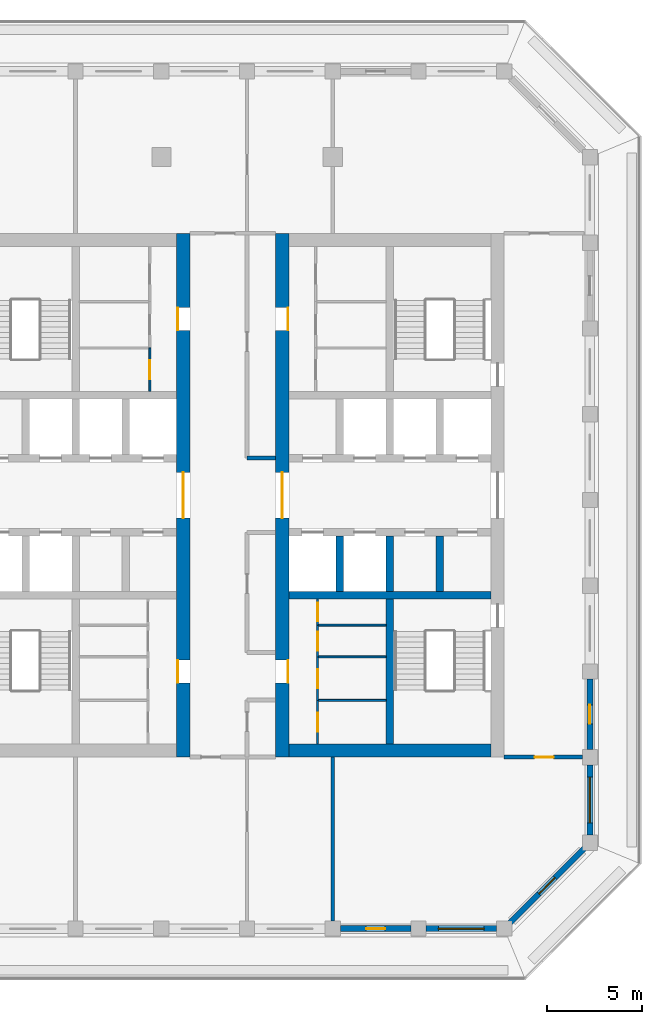
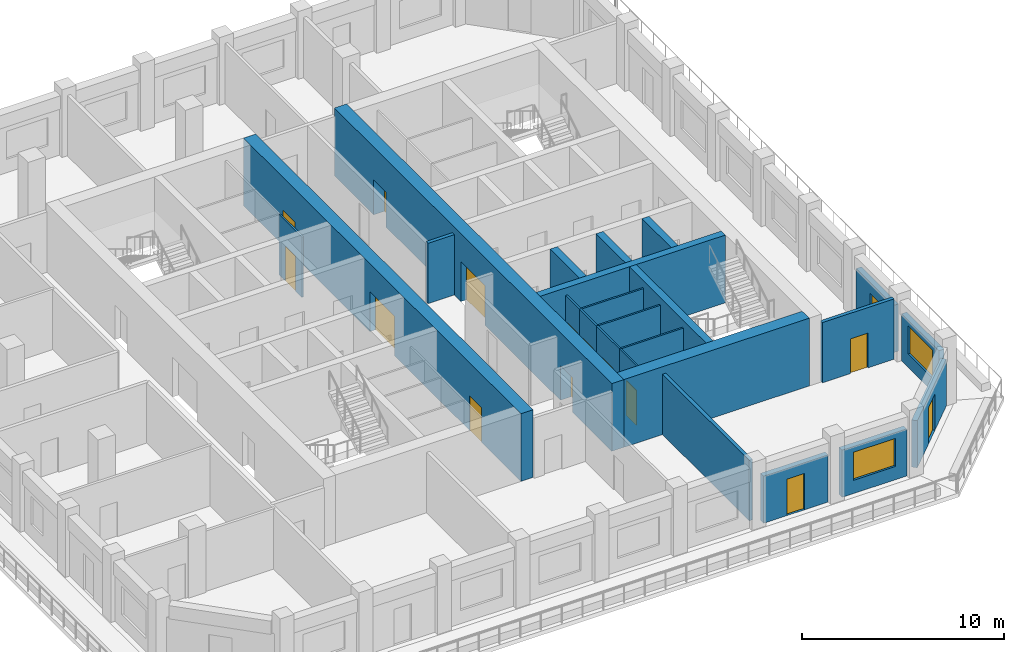
# One storey, part 4 of 14: 24 walls, 15 doors, 2 windows, 17 openings.
"""IFC4 building model written with IfcOpenShell, lengths in metres."""

from ifc_helpers import new_model, si_unit, direction, frame, frame_2d, origin, place, context, subcontext, project, spatial, rectangle, extrude, material, layer, layer_set, type_object, element, fill, save


model = new_model("IFC4")

# Units and contexts
model_context = context("Model", 3, precision=1e-05, world=origin(), true_north=direction((0.0, 1.0)))
body_context = subcontext(model_context, "Body", "Model", "MODEL_VIEW")
ifc_project = project(units=[si_unit("LENGTHUNIT", "METRE"), si_unit("AREAUNIT", "SQUARE_METRE"), si_unit("VOLUMEUNIT", "CUBIC_METRE"), si_unit("PLANEANGLEUNIT", "RADIAN"), si_unit("MASSUNIT", "GRAM", prefix="KILO")], contexts=[model_context])

# Site, building, storey
site_placement = place(None, origin())
site = spatial("IfcSite", under=ifc_project, at=site_placement, CompositionType="ELEMENT")
building_placement = place(site_placement, origin())
building = spatial("IfcBuilding", under=site, at=building_placement, Name="Corbel Stack Research Tower", CompositionType="ELEMENT")
storey_placement = place(building_placement, frame((0.0, 0.0, 286.800048828125)))
storey = spatial("IfcBuildingStorey", under=building, at=storey_placement, Name="L65", CompositionType="ELEMENT", Elevation=286.800048828125)

# Walls
ifc_material_1 = material(Name="Concrete C60/75", Category="concrete")
ifc_layer_1 = layer(ifc_material_1, 0.39990234375)
ifc_layer_set_1 = layer_set([ifc_layer_1], Name="Concrete C60/75")
wall_type_1 = type_object("IfcWallType", Name="CW-400-60", PredefinedType="SHEAR", material=ifc_layer_set_1)
wall_1_placement = place(storey_placement, frame((6.699951171875, -0.5, 0.0), z_axis=(0.0, 0.0, 1.0), x_axis=(1.0, 0.0, 0.0)))
element("IfcWall", 1, at=wall_1_placement, inside=storey, type_object=wall_type_1, Name="East core wall, south row back L65", PredefinedType="SHEAR", context=body_context, shape_type="SweptSolid", body=[
    extrude(rectangle(XDim=10.60009765625, YDim=0.39990234375, at=frame_2d((5.300048828125, 0.0))), origin(), (0.0, 0.0, 1.0), 4.099853515625),
])
for number, where, z_axis, x_axis, name in (
    (2, (9.375, -0.300048828125, 0.0), (0.0, 0.0, 1.0), (0.0, 1.0, 0.0), "East core wall, south shaft 1 L65"),
    (3, (12.0, -0.300048828125, 0.0), (0.0, 0.0, 1.0), (0.0, 1.0, 0.0), "East core wall, south shaft 2 L65"),
    (4, (14.625, -0.300048828125, 0.0), (0.0, 0.0, 1.0), (0.0, 1.0, 0.0), "East core wall, south shaft 3 L65"),
):
    element("IfcWall", number, at=place(storey_placement, frame(where, z_axis=z_axis, x_axis=x_axis)), inside=storey, type_object=wall_type_1, Name=name, PredefinedType="SHEAR", context=body_context, shape_type="SweptSolid", body=[
        extrude(rectangle(XDim=2.900146484375, YDim=0.39990234375, at=frame_2d((1.4501953125, 0.0))), origin(), (0.0, 0.0, 1.0), 4.099853515625),
    ])
wall_2_placement = place(storey_placement, frame((12.0, -8.300048828125, 0.0), z_axis=(0.0, 0.0, 1.0), x_axis=(0.0, 1.0, 0.0)))
element("IfcWall", 5, at=wall_2_placement, inside=storey, type_object=wall_type_1, Name="East core wall, south stair and WC L65", PredefinedType="SHEAR", context=body_context, shape_type="SweptSolid", body=[
    extrude(rectangle(XDim=7.60009765625, YDim=0.39990234375, at=frame_2d((3.800048828125, 0.0))), origin(), (0.0, 0.0, 1.0), 4.099853515625),
])

# Wall, openings, doors
ifc_material_2 = material(Name="Concrete C60/75", Category="concrete")
ifc_layer_2 = layer(ifc_material_2, 0.699951171875)
ifc_layer_set_2 = layer_set([ifc_layer_2], Name="Concrete C60/75")
wall_type_2 = type_object("IfcWallType", Name="CW-700-60", PredefinedType="SHEAR", material=ifc_layer_set_2)
wall_3_placement = place(storey_placement, frame((1.14990234375, -9.0, 0.0), z_axis=(0.0, 0.0, 1.0), x_axis=(0.0, 1.0, 0.0)))
wall_3 = element("IfcWall", 6, at=wall_3_placement, inside=storey, type_object=wall_type_2, Name="West core wall, east face L65", PredefinedType="SHEAR", context=body_context, shape_type="SweptSolid", body=[
    extrude(rectangle(XDim=27.5, YDim=0.699951171875, at=frame_2d((13.75, 0.0))), origin(), (0.0, 0.0, 1.0), 4.099853515625),
])
opening_1_placement = place(wall_3_placement, frame((12.550048828125, 0.0, 0.0)))
opening_1 = element("IfcOpeningElement", 7, at=opening_1_placement, cuts=wall_3, Name="Opening CD-W-E", PredefinedType="OPENING", context=body_context, shape_type="SweptSolid", body=[
    extrude(rectangle(XDim=2.39990234375, YDim=2.39990234375, at=frame_2d((1.199951171875, 1.199951171875))), frame((0.0, 0.35986328125, 0.0), z_axis=(0.0, -1.0, 0.0), x_axis=(1.0, 0.0, 0.0)), (0.0, 0.0, 1.0), 0.719970703125),
])
opening_2_placement = place(wall_3_placement, frame((3.89990234375, 0.0, 0.0)))
opening_2 = element("IfcOpeningElement", 8, at=opening_2_placement, cuts=wall_3, Name="Opening CR-W42-W1-1200", PredefinedType="OPENING", context=body_context, shape_type="SweptSolid", body=[
    extrude(rectangle(XDim=1.199951171875, YDim=2.10009765625, at=frame_2d((0.60009765625, 1.050048828125))), frame((0.0, 0.35986328125, 0.0), z_axis=(0.0, -1.0, 0.0), x_axis=(1.0, 0.0, 0.0)), (0.0, 0.0, 1.0), 0.719970703125),
])
opening_3_placement = place(wall_3_placement, frame((22.39990234375, 0.0, 0.0)))
opening_3 = element("IfcOpeningElement", 9, at=opening_3_placement, cuts=wall_3, Name="Opening CR-W42-R1-1200", PredefinedType="OPENING", context=body_context, shape_type="SweptSolid", body=[
    extrude(rectangle(XDim=1.199951171875, YDim=2.10009765625, at=frame_2d((0.60009765625, 1.050048828125))), frame((0.0, 0.35986328125, 0.0), z_axis=(0.0, -1.0, 0.0), x_axis=(1.0, 0.0, 0.0)), (0.0, 0.0, 1.0), 0.719970703125),
])
ifc_material_3 = material(Name="Painted steel fire door", Category="steel")
door_type_1 = type_object("IfcDoorType", Name="Lobby door pair 2400 x 2400 FD30S", OperationType="DOUBLE_DOOR_DOUBLE_SWING", PredefinedType="DOOR", material=ifc_material_3)
door_1_placement = place(opening_1_placement, origin())
door_1 = element("IfcDoor", 10, at=door_1_placement, inside=storey, type_object=door_type_1, Name="Lift lobby door W core E", OperationType="DOUBLE_DOOR_DOUBLE_SWING", OverallHeight=2.39990234375, OverallWidth=2.39990234375, PredefinedType="DOOR", context=body_context, shape_type="SweptSolid", body=[
    extrude(rectangle(XDim=2.39990234375, YDim=2.39990234375, at=frame_2d((1.199951171875, 1.199951171875))), frame((0.0, 0.02490234375, 0.0), z_axis=(0.0, -1.0, 0.0), x_axis=(1.0, 0.0, 0.0)), (0.0, 0.0, 1.0), 0.050048828125),
])
fill(opening_1, door_1)
ifc_material_4 = material(Name="Painted steel door", Category="steel")
door_type_2 = type_object("IfcDoorType", Name="Service door 1200 x 2100 FD30 left hand", OperationType="SINGLE_SWING_LEFT", PredefinedType="DOOR", material=ifc_material_4)
door_2_placement = place(opening_3_placement, origin())
door_2 = element("IfcDoor", 11, at=door_2_placement, inside=storey, type_object=door_type_2, Name="Service passage door W core", OperationType="SINGLE_SWING_LEFT", OverallHeight=2.10009765625, OverallWidth=1.199951171875, PredefinedType="DOOR", context=body_context, shape_type="SweptSolid", body=[
    extrude(rectangle(XDim=1.199951171875, YDim=2.10009765625, at=frame_2d((0.60009765625, 1.050048828125))), frame((0.0, 0.3251953125, 0.0), z_axis=(0.0, -1.0, 0.0), x_axis=(1.0, 0.0, 0.0)), (0.0, 0.0, 1.0), 0.050048828125),
])
fill(opening_3, door_2)
ifc_material_5 = material(Name="Painted timber door", Category="wood")
door_type_3 = type_object("IfcDoorType", Name="WC door 1200 x 2100 left hand", OperationType="SINGLE_SWING_LEFT", PredefinedType="DOOR", material=ifc_material_5)
door_3_placement = place(opening_2_placement, origin())
door_3 = element("IfcDoor", 12, at=door_3_placement, inside=storey, type_object=door_type_3, Name="WC lobby door W core", OperationType="SINGLE_SWING_LEFT", OverallHeight=2.10009765625, OverallWidth=1.199951171875, PredefinedType="DOOR", context=body_context, shape_type="SweptSolid", body=[
    extrude(rectangle(XDim=1.199951171875, YDim=2.10009765625, at=frame_2d((0.60009765625, 1.050048828125))), frame((0.0, 0.3251953125, 0.0), z_axis=(0.0, -1.0, 0.0), x_axis=(1.0, 0.0, 0.0)), (0.0, 0.0, 1.0), 0.050048828125),
])
fill(opening_2, door_3)

wall_4_placement = place(storey_placement, frame((6.35009765625, -9.0, 0.0), z_axis=(0.0, 0.0, 1.0), x_axis=(0.0, 1.0, 0.0)))
wall_4 = element("IfcWall", 13, at=wall_4_placement, inside=storey, type_object=wall_type_2, Name="East core wall, west face L65", PredefinedType="SHEAR", context=body_context, shape_type="SweptSolid", body=[
    extrude(rectangle(XDim=27.5, YDim=0.699951171875, at=frame_2d((13.75, 0.0))), origin(), (0.0, 0.0, 1.0), 4.099853515625),
])
opening_4_placement = place(wall_4_placement, frame((12.550048828125, 0.0, 0.0)))
opening_4 = element("IfcOpeningElement", 14, at=opening_4_placement, cuts=wall_4, Name="Opening CD-E-W", PredefinedType="OPENING", context=body_context, shape_type="SweptSolid", body=[
    extrude(rectangle(XDim=2.39990234375, YDim=2.39990234375, at=frame_2d((1.199951171875, 1.199951171875))), frame((0.0, 0.35986328125, 0.0), z_axis=(0.0, -1.0, 0.0), x_axis=(1.0, 0.0, 0.0)), (0.0, 0.0, 1.0), 0.719970703125),
])
opening_5_placement = place(wall_4_placement, frame((3.89990234375, 0.0, 0.0)))
opening_5 = element("IfcOpeningElement", 15, at=opening_5_placement, cuts=wall_4, Name="Opening CR-E42-W1-1200", PredefinedType="OPENING", context=body_context, shape_type="SweptSolid", body=[
    extrude(rectangle(XDim=1.199951171875, YDim=2.10009765625, at=frame_2d((0.60009765625, 1.050048828125))), frame((0.0, 0.35986328125, 0.0), z_axis=(0.0, -1.0, 0.0), x_axis=(1.0, 0.0, 0.0)), (0.0, 0.0, 1.0), 0.719970703125),
])
opening_6_placement = place(wall_4_placement, frame((22.39990234375, 0.0, 0.0)))
opening_6 = element("IfcOpeningElement", 16, at=opening_6_placement, cuts=wall_4, Name="Opening CR-E42-R1-1200", PredefinedType="OPENING", context=body_context, shape_type="SweptSolid", body=[
    extrude(rectangle(XDim=1.199951171875, YDim=2.10009765625, at=frame_2d((0.60009765625, 1.050048828125))), frame((0.0, 0.35986328125, 0.0), z_axis=(0.0, -1.0, 0.0), x_axis=(1.0, 0.0, 0.0)), (0.0, 0.0, 1.0), 0.719970703125),
])
door_4_placement = place(opening_4_placement, origin())
door_4 = element("IfcDoor", 17, at=door_4_placement, inside=storey, type_object=door_type_1, Name="Lift lobby door E core W", OperationType="DOUBLE_DOOR_DOUBLE_SWING", OverallHeight=2.39990234375, OverallWidth=2.39990234375, PredefinedType="DOOR", context=body_context, shape_type="SweptSolid", body=[
    extrude(rectangle(XDim=2.39990234375, YDim=2.39990234375, at=frame_2d((1.199951171875, 1.199951171875))), frame((0.0, 0.02490234375, 0.0), z_axis=(0.0, -1.0, 0.0), x_axis=(1.0, 0.0, 0.0)), (0.0, 0.0, 1.0), 0.050048828125),
])
fill(opening_4, door_4)
ifc_material_6 = material(Name="Painted steel door", Category="steel")
door_type_4 = type_object("IfcDoorType", Name="Service door 1200 x 2100 FD30 right hand", OperationType="SINGLE_SWING_RIGHT", PredefinedType="DOOR", material=ifc_material_6)
door_5_placement = place(opening_6_placement, origin())
door_5 = element("IfcDoor", 18, at=door_5_placement, inside=storey, type_object=door_type_4, Name="Service passage door E core", OperationType="SINGLE_SWING_RIGHT", OverallHeight=2.10009765625, OverallWidth=1.199951171875, PredefinedType="DOOR", context=body_context, shape_type="SweptSolid", body=[
    extrude(rectangle(XDim=1.199951171875, YDim=2.10009765625, at=frame_2d((0.60009765625, 1.050048828125))), frame((0.0, -0.27490234375, 0.0), z_axis=(0.0, -1.0, 0.0), x_axis=(1.0, 0.0, 0.0)), (0.0, 0.0, 1.0), 0.050048828125),
])
fill(opening_6, door_5)
ifc_material_7 = material(Name="Painted timber door", Category="wood")
door_type_5 = type_object("IfcDoorType", Name="WC door 1200 x 2100 right hand", OperationType="SINGLE_SWING_RIGHT", PredefinedType="DOOR", material=ifc_material_7)
door_6_placement = place(opening_5_placement, origin())
door_6 = element("IfcDoor", 19, at=door_6_placement, inside=storey, type_object=door_type_5, Name="WC lobby door E core", OperationType="SINGLE_SWING_RIGHT", OverallHeight=2.10009765625, OverallWidth=1.199951171875, PredefinedType="DOOR", context=body_context, shape_type="SweptSolid", body=[
    extrude(rectangle(XDim=1.199951171875, YDim=2.10009765625, at=frame_2d((0.60009765625, 1.050048828125))), frame((0.0, -0.27490234375, 0.0), z_axis=(0.0, -1.0, 0.0), x_axis=(1.0, 0.0, 0.0)), (0.0, 0.0, 1.0), 0.050048828125),
])
fill(opening_5, door_6)

# Wall
wall_5_placement = place(storey_placement, frame((6.699951171875, -8.64990234375, 0.0), z_axis=(0.0, 0.0, 1.0), x_axis=(1.0, 0.0, 0.0)))
element("IfcWall", 20, at=wall_5_placement, inside=storey, type_object=wall_type_2, Name="East core wall, south end L65", PredefinedType="SHEAR", context=body_context, shape_type="SweptSolid", body=[
    extrude(rectangle(XDim=10.60009765625, YDim=0.699951171875, at=frame_2d((5.300048828125, 0.0))), origin(), (0.0, 0.0, 1.0), 4.099853515625),
])

# Wall, opening, door
ifc_material_8 = material(Name="Gypsum board")
ifc_layer_3 = layer(ifc_material_8, 0.10009765625)
ifc_layer_set_3 = layer_set([ifc_layer_3], Name="Gypsum board")
wall_type_3 = type_object("IfcWallType", Name="Core partition 100", PredefinedType="PARTITIONING", material=ifc_layer_set_3)
wall_6_placement = place(storey_placement, frame((-0.60009765625, 10.199951171875, 0.0), z_axis=(0.0, 0.0, 1.0), x_axis=(0.0, 1.0, 0.0)))
wall_6 = element("IfcWall", 21, at=wall_6_placement, inside=storey, type_object=wall_type_3, Name="Core partition W", PredefinedType="PARTITIONING", context=body_context, shape_type="SweptSolid", body=[
    extrude(rectangle(XDim=2.280029296875, YDim=0.10009765625, at=frame_2d((1.14013671875, 0.0))), origin(), (0.0, 0.0, 1.0), 3.64990234375),
])
opening_7_placement = place(wall_6_placement, frame((0.639892578125, 0.0, 0.0)))
opening_7 = element("IfcOpeningElement", 22, at=opening_7_placement, cuts=wall_6, Name="Opening CR-W42-R2-1000", PredefinedType="OPENING", context=body_context, shape_type="SweptSolid", body=[
    extrude(rectangle(XDim=1.0, YDim=2.10009765625, at=frame_2d((0.5, 1.050048828125))), frame((0.0, 0.06005859375, 0.0), z_axis=(0.0, -1.0, 0.0), x_axis=(1.0, 0.0, 0.0)), (0.0, 0.0, 1.0), 0.1201171875),
])
ifc_material_9 = material(Name="Painted steel door", Category="steel")
door_type_6 = type_object("IfcDoorType", Name="Riser door 1000 x 2100 FD60 right hand", OperationType="SINGLE_SWING_RIGHT", PredefinedType="DOOR", material=ifc_material_9)
door_7_placement = place(opening_7_placement, origin())
door_7 = element("IfcDoor", 23, at=door_7_placement, inside=storey, type_object=door_type_6, Name="Mechanical riser door W core", OperationType="SINGLE_SWING_RIGHT", OverallHeight=2.10009765625, OverallWidth=1.0, PredefinedType="DOOR", context=body_context, shape_type="SweptSolid", body=[
    extrude(rectangle(XDim=1.0, YDim=2.10009765625, at=frame_2d((0.5, 1.050048828125))), frame((0.0, 0.02490234375, 0.0), z_axis=(0.0, -1.0, 0.0), x_axis=(1.0, 0.0, 0.0)), (0.0, 0.0, 1.0), 0.050048828125),
])
fill(opening_7, door_7)

wall_7_placement = place(storey_placement, frame((8.199951171875, -8.300048828125, 0.0), z_axis=(0.0, 0.0, 1.0), x_axis=(0.0, 1.0, 0.0)))
wall_7 = element("IfcWall", 24, at=wall_7_placement, inside=storey, type_object=wall_type_3, Name="Core partition E", PredefinedType="PARTITIONING", context=body_context, shape_type="SweptSolid", body=[
    extrude(rectangle(XDim=2.280029296875, YDim=0.10009765625, at=frame_2d((1.14013671875, 0.0))), origin(), (0.0, 0.0, 1.0), 3.64990234375),
])
opening_8_placement = place(wall_7_placement, frame((0.639892578125, 0.0, 0.0)))
opening_8 = element("IfcOpeningElement", 25, at=opening_8_placement, cuts=wall_7, Name="Opening CR-E42-W2-1000", PredefinedType="OPENING", context=body_context, shape_type="SweptSolid", body=[
    extrude(rectangle(XDim=1.0, YDim=2.10009765625, at=frame_2d((0.5, 1.050048828125))), frame((0.0, 0.06005859375, 0.0), z_axis=(0.0, -1.0, 0.0), x_axis=(1.0, 0.0, 0.0)), (0.0, 0.0, 1.0), 0.1201171875),
])
ifc_material_10 = material(Name="Painted timber door", Category="wood")
door_type_7 = type_object("IfcDoorType", Name="WC door 1000 x 2100 left hand", OperationType="SINGLE_SWING_LEFT", PredefinedType="DOOR", material=ifc_material_10)
door_8_placement = place(opening_8_placement, origin())
door_8 = element("IfcDoor", 26, at=door_8_placement, inside=storey, type_object=door_type_7, Name="Men's WC door E core", OperationType="SINGLE_SWING_LEFT", OverallHeight=2.10009765625, OverallWidth=1.0, PredefinedType="DOOR", context=body_context, shape_type="SweptSolid", body=[
    extrude(rectangle(XDim=1.0, YDim=2.10009765625, at=frame_2d((0.5, 1.050048828125))), frame((0.0, 0.02490234375, 0.0), z_axis=(0.0, -1.0, 0.0), x_axis=(1.0, 0.0, 0.0)), (0.0, 0.0, 1.0), 0.050048828125),
])
fill(opening_8, door_8)

wall_8_placement = place(storey_placement, frame((8.199951171875, -6.02001953125, 0.0), z_axis=(0.0, 0.0, 1.0), x_axis=(0.0, 1.0, 0.0)))
wall_8 = element("IfcWall", 27, at=wall_8_placement, inside=storey, type_object=wall_type_3, Name="Core partition E", PredefinedType="PARTITIONING", context=body_context, shape_type="SweptSolid", body=[
    extrude(rectangle(XDim=2.280029296875, YDim=0.10009765625, at=frame_2d((1.14013671875, 0.0))), origin(), (0.0, 0.0, 1.0), 3.64990234375),
])
opening_9_placement = place(wall_8_placement, frame((0.639892578125, 0.0, 0.0)))
opening_9 = element("IfcOpeningElement", 28, at=opening_9_placement, cuts=wall_8, Name="Opening CR-E42-W3-1000", PredefinedType="OPENING", context=body_context, shape_type="SweptSolid", body=[
    extrude(rectangle(XDim=1.0, YDim=2.10009765625, at=frame_2d((0.5, 1.050048828125))), frame((0.0, 0.06005859375, 0.0), z_axis=(0.0, -1.0, 0.0), x_axis=(1.0, 0.0, 0.0)), (0.0, 0.0, 1.0), 0.1201171875),
])
ifc_material_11 = material(Name="Painted timber door", Category="wood")
door_type_8 = type_object("IfcDoorType", Name="WC door 1000 x 2100 right hand", OperationType="SINGLE_SWING_RIGHT", PredefinedType="DOOR", material=ifc_material_11)
door_9_placement = place(opening_9_placement, origin())
door_9 = element("IfcDoor", 29, at=door_9_placement, inside=storey, type_object=door_type_8, Name="Women's WC door E core", OperationType="SINGLE_SWING_RIGHT", OverallHeight=2.10009765625, OverallWidth=1.0, PredefinedType="DOOR", context=body_context, shape_type="SweptSolid", body=[
    extrude(rectangle(XDim=1.0, YDim=2.10009765625, at=frame_2d((0.5, 1.050048828125))), frame((0.0, 0.02490234375, 0.0), z_axis=(0.0, -1.0, 0.0), x_axis=(1.0, 0.0, 0.0)), (0.0, 0.0, 1.0), 0.050048828125),
])
fill(opening_9, door_9)

wall_9_placement = place(storey_placement, frame((8.199951171875, -3.739990234375, 0.0), z_axis=(0.0, 0.0, 1.0), x_axis=(0.0, 1.0, 0.0)))
wall_9 = element("IfcWall", 30, at=wall_9_placement, inside=storey, type_object=wall_type_3, Name="Core partition E", PredefinedType="PARTITIONING", context=body_context, shape_type="SweptSolid", body=[
    extrude(rectangle(XDim=1.671875, YDim=0.10009765625, at=frame_2d((0.8359375, 0.0))), origin(), (0.0, 0.0, 1.0), 3.64990234375),
])
opening_10_placement = place(wall_9_placement, frame((0.3359375, 0.0, 0.0)))
opening_10 = element("IfcOpeningElement", 31, at=opening_10_placement, cuts=wall_9, Name="Opening CR-E42-W4-1000", PredefinedType="OPENING", context=body_context, shape_type="SweptSolid", body=[
    extrude(rectangle(XDim=1.0, YDim=2.10009765625, at=frame_2d((0.5, 1.050048828125))), frame((0.0, 0.06005859375, 0.0), z_axis=(0.0, -1.0, 0.0), x_axis=(1.0, 0.0, 0.0)), (0.0, 0.0, 1.0), 0.1201171875),
])
door_10_placement = place(opening_10_placement, origin())
door_10 = element("IfcDoor", 32, at=door_10_placement, inside=storey, type_object=door_type_7, Name="Accessible WC door E core", OperationType="SINGLE_SWING_LEFT", OverallHeight=2.10009765625, OverallWidth=1.0, PredefinedType="DOOR", context=body_context, shape_type="SweptSolid", body=[
    extrude(rectangle(XDim=1.0, YDim=2.10009765625, at=frame_2d((0.5, 1.050048828125))), frame((0.0, 0.02490234375, 0.0), z_axis=(0.0, -1.0, 0.0), x_axis=(1.0, 0.0, 0.0)), (0.0, 0.0, 1.0), 0.050048828125),
])
fill(opening_10, door_10)

wall_10_placement = place(storey_placement, frame((8.199951171875, -2.068115234375, 0.0), z_axis=(0.0, 0.0, 1.0), x_axis=(0.0, 1.0, 0.0)))
wall_10 = element("IfcWall", 33, at=wall_10_placement, inside=storey, type_object=wall_type_3, Name="Core partition E", PredefinedType="PARTITIONING", context=body_context, shape_type="SweptSolid", body=[
    extrude(rectangle(XDim=1.3681640625, YDim=0.10009765625, at=frame_2d((0.68408203125, 0.0))), origin(), (0.0, 0.0, 1.0), 3.64990234375),
])
opening_11_placement = place(wall_10_placement, frame((0.199951171875, 0.0, 0.0)))
opening_11 = element("IfcOpeningElement", 34, at=opening_11_placement, cuts=wall_10, Name="Opening CR-E42-W5-968", PredefinedType="OPENING", context=body_context, shape_type="SweptSolid", body=[
    extrude(rectangle(XDim=0.968017578125, YDim=2.10009765625, at=frame_2d((0.48388671875, 1.050048828125))), frame((0.0, 0.06005859375, 0.0), z_axis=(0.0, -1.0, 0.0), x_axis=(1.0, 0.0, 0.0)), (0.0, 0.0, 1.0), 0.1201171875),
])
ifc_material_12 = material(Name="Painted steel door", Category="steel")
door_type_9 = type_object("IfcDoorType", Name="Service door 968 x 2100 FD30 right hand", OperationType="SINGLE_SWING_RIGHT", PredefinedType="DOOR", material=ifc_material_12)
door_11_placement = place(opening_11_placement, origin())
door_11 = element("IfcDoor", 35, at=door_11_placement, inside=storey, type_object=door_type_9, Name="Cleaner's store door E core", OperationType="SINGLE_SWING_RIGHT", OverallHeight=2.10009765625, OverallWidth=0.968017578125, PredefinedType="DOOR", context=body_context, shape_type="SweptSolid", body=[
    extrude(rectangle(XDim=0.968017578125, YDim=2.10009765625, at=frame_2d((0.48388671875, 1.050048828125))), frame((0.0, 0.02490234375, 0.0), z_axis=(0.0, -1.0, 0.0), x_axis=(1.0, 0.0, 0.0)), (0.0, 0.0, 1.0), 0.050048828125),
])
fill(opening_11, door_11)

# Walls
for number, where, z_axis, x_axis, name in (
    (36, (8.199951171875, -6.02001953125, 0.0), (0.0, 0.0, 1.0), (1.0, 0.0, 0.0), "Core partition E"),
    (37, (8.199951171875, -3.739990234375, 0.0), (0.0, 0.0, 1.0), (1.0, 0.0, 0.0), "Core partition E"),
    (38, (8.199951171875, -2.068115234375, 0.0), (0.0, 0.0, 1.0), (1.0, 0.0, 0.0), "Core partition E"),
):
    element("IfcWall", number, at=place(storey_placement, frame(where, z_axis=z_axis, x_axis=x_axis)), inside=storey, type_object=wall_type_3, Name=name, PredefinedType="PARTITIONING", context=body_context, shape_type="SweptSolid", body=[
        extrude(rectangle(XDim=3.60009765625, YDim=0.10009765625, at=frame_2d((1.800048828125, 0.0))), origin(), (0.0, 0.0, 1.0), 3.64990234375),
    ])
ifc_material_13 = material(Name="Fire-rated gypsum board partition on steel studs", Category="steel")
ifc_layer_4 = layer(ifc_material_13, 0.199951171875)
ifc_layer_set_4 = layer_set([ifc_layer_4], Name="Fire-rated gypsum board partition on steel studs")
wall_type_4 = type_object("IfcWallType", Name="Fire-rated partition 200 EI 60", PredefinedType="PARTITIONING", material=ifc_layer_set_4)
wall_11_placement = place(storey_placement, frame((9.0, -17.60009765625, 0.0), z_axis=(0.0, 0.0, 1.0), x_axis=(0.0, 1.0, 0.0)))
element("IfcWall", 39, at=wall_11_placement, inside=storey, type_object=wall_type_4, Name="Partition L65-010", PredefinedType="PARTITIONING", context=body_context, shape_type="SweptSolid", body=[
    extrude(rectangle(XDim=8.60009765625, YDim=0.199951171875, at=frame_2d((4.300048828125, 0.0))), origin(), (0.0, 0.0, 1.0), 3.64990234375),
])

# Wall, opening, door
wall_12_placement = place(storey_placement, frame((22.10009765625, -9.0, 0.0), z_axis=(0.0, 0.0, 1.0), x_axis=(-1.0, 0.0, 0.0)))
wall_12 = element("IfcWall", 40, at=wall_12_placement, inside=storey, type_object=wall_type_4, Name="Partition L65-017", PredefinedType="PARTITIONING", context=body_context, shape_type="SweptSolid", body=[
    extrude(rectangle(XDim=4.10009765625, YDim=0.199951171875, at=frame_2d((2.050048828125, 0.0))), origin(), (0.0, 0.0, 1.0), 3.64990234375),
])
opening_12_placement = place(wall_12_placement, frame((1.5, 0.0, 0.0)))
opening_12 = element("IfcOpeningElement", 41, at=opening_12_placement, cuts=wall_12, Name="Opening B8V2-004", PredefinedType="OPENING", context=body_context, shape_type="SweptSolid", body=[
    extrude(rectangle(XDim=1.0, YDim=2.10009765625, at=frame_2d((0.5, 1.050048828125))), frame((0.0, 0.10986328125, 0.0), z_axis=(0.0, -1.0, 0.0), x_axis=(1.0, 0.0, 0.0)), (0.0, 0.0, 1.0), 0.219970703125),
])
ifc_material_14 = material(Name="Painted steel fire door", Category="steel")
door_type_10 = type_object("IfcDoorType", Name="Fire door FD30S 1000 x 2100", OperationType="NOTDEFINED", PredefinedType="DOOR", material=ifc_material_14)
door_12_placement = place(opening_12_placement, origin())
door_12 = element("IfcDoor", 42, at=door_12_placement, inside=storey, type_object=door_type_10, Name="Door B8V2-004", OperationType="SINGLE_SWING_LEFT", OverallHeight=2.10009765625, OverallWidth=1.0, PredefinedType="DOOR", context=body_context, shape_type="SweptSolid", body=[
    extrude(rectangle(XDim=1.0, YDim=2.10009765625, at=frame_2d((0.5, 1.050048828125))), frame((0.0, 0.02490234375, 0.0), z_axis=(0.0, -1.0, 0.0), x_axis=(1.0, 0.0, 0.0)), (0.0, 0.0, 1.0), 0.050048828125),
])
fill(opening_12, door_12)

# Wall
wall_13_placement = place(storey_placement, frame((4.5, 6.699951171875, 0.0), z_axis=(0.0, 0.0, 1.0), x_axis=(1.0, 0.0, 0.0)))
element("IfcWall", 43, at=wall_13_placement, inside=storey, type_object=wall_type_4, Name="Partition L65-024", PredefinedType="PARTITIONING", context=body_context, shape_type="SweptSolid", body=[
    extrude(rectangle(XDim=1.5, YDim=0.199951171875, at=frame_2d((0.75, 0.0))), origin(), (0.0, 0.0, 1.0), 3.64990234375),
])

# Wall, opening, door
ifc_material_15 = material(Name="Concrete C45/55", Category="concrete")
ifc_layer_5 = layer(ifc_material_15, 0.300048828125)
ifc_layer_set_5 = layer_set([ifc_layer_5], Name="Concrete C45/55")
wall_type_5 = type_object("IfcWallType", Name="Terracotta-faced concrete wall 300", PredefinedType="SOLIDWALL", material=ifc_layer_set_5)
wall_14_placement = place(storey_placement, frame((13.10009765625, -18.0, 0.0), z_axis=(0.0, 0.0, 1.0), x_axis=(-1.0, 0.0, 0.0)))
wall_14 = element("IfcWall", 44, at=wall_14_placement, inside=storey, type_object=wall_type_5, Name="Facade wall L65 S07", PredefinedType="SOLIDWALL", context=body_context, shape_type="SweptSolid", body=[
    extrude(rectangle(XDim=3.7001953125, YDim=0.300048828125, at=frame_2d((1.85009765625, 0.0))), origin(), (0.0, 0.0, 1.0), 2.849853515625),
])
opening_13_placement = place(wall_14_placement, frame((1.35009765625, 0.0, 0.0)))
opening_13 = element("IfcOpeningElement", 45, at=opening_13_placement, cuts=wall_14, Name="Opening L65-B02", PredefinedType="OPENING", context=body_context, shape_type="SweptSolid", body=[
    extrude(rectangle(XDim=1.0, YDim=2.199951171875, at=frame_2d((0.5, 1.10009765625))), frame((0.0, 0.159912109375, 0.0), z_axis=(0.0, -1.0, 0.0), x_axis=(1.0, 0.0, 0.0)), (0.0, 0.0, 1.0), 0.320068359375),
])
ifc_material_16 = material(Name="Aluminium frame, clear double glazing", Category="aluminium")
door_type_11 = type_object("IfcDoorType", Name="Balcony door BD1 1000 x 2200", OperationType="NOTDEFINED", PredefinedType="DOOR", material=ifc_material_16)
door_13_placement = place(opening_13_placement, origin())
door_13 = element("IfcDoor", 46, at=door_13_placement, inside=storey, type_object=door_type_11, Name="Balcony door L65-B02", OperationType="SINGLE_SWING_RIGHT", OverallHeight=2.199951171875, OverallWidth=1.0, PredefinedType="DOOR", context=body_context, shape_type="SweptSolid", body=[
    extrude(rectangle(XDim=1.0, YDim=2.199951171875, at=frame_2d((0.5, 1.10009765625))), frame((0.0, 0.02490234375, 0.0), z_axis=(0.0, -1.0, 0.0), x_axis=(1.0, 0.0, 0.0)), (0.0, 0.0, 1.0), 0.050048828125),
])
fill(opening_13, door_13)

# Wall, opening, window
wall_15_placement = place(storey_placement, frame((17.60009765625, -18.0, 0.0), z_axis=(0.0, 0.0, 1.0), x_axis=(-1.0, 0.0, 0.0)))
wall_15 = element("IfcWall", 47, at=wall_15_placement, inside=storey, type_object=wall_type_5, Name="Facade wall L65 S08", PredefinedType="SOLIDWALL", context=body_context, shape_type="SweptSolid", body=[
    extrude(rectangle(XDim=3.7001953125, YDim=0.300048828125, at=frame_2d((1.85009765625, 0.0))), origin(), (0.0, 0.0, 1.0), 2.849853515625),
])
opening_14_placement = place(wall_15_placement, frame((0.64990234375, 0.0, 0.800048828125)))
opening_14 = element("IfcOpeningElement", 48, at=opening_14_placement, cuts=wall_15, Name="Opening W1", PredefinedType="OPENING", context=body_context, shape_type="SweptSolid", body=[
    extrude(rectangle(XDim=2.39990234375, YDim=1.699951171875, at=frame_2d((1.199951171875, 0.85009765625))), frame((0.0, 0.159912109375, 0.0), z_axis=(0.0, -1.0, 0.0), x_axis=(1.0, 0.0, 0.0)), (0.0, 0.0, 1.0), 0.320068359375),
])
ifc_material_17 = material(Name="Aluminium frame, clear double glazing", Category="aluminium")
window_type = type_object("IfcWindowType", Name="Window W1 2400 x 1700", PartitioningType="SINGLE_PANEL", PredefinedType="WINDOW", material=ifc_material_17)
window_1_placement = place(opening_14_placement, origin())
window_1 = element("IfcWindow", 49, at=window_1_placement, inside=storey, type_object=window_type, Name="Window W1 L65 S08", OverallHeight=1.699951171875, OverallWidth=2.39990234375, PartitioningType="SINGLE_PANEL", PredefinedType="WINDOW", context=body_context, shape_type="SweptSolid", body=[
    extrude(rectangle(XDim=2.39990234375, YDim=1.699951171875, at=frame_2d((1.199951171875, 0.85009765625))), frame((0.0, 0.030029296875, 0.0), z_axis=(0.0, -1.0, 0.0), x_axis=(1.0, 0.0, 0.0)), (0.0, 0.0, 1.0), 0.06005859375),
])
fill(opening_14, window_1)

# Wall, opening, door
wall_16_placement = place(storey_placement, frame((22.2060546875, -13.7939453125, 0.0), z_axis=(0.0, 0.0, 1.0), x_axis=(-0.707106781187, -0.707106781187, 0.0)))
wall_16 = element("IfcWall", 50, at=wall_16_placement, inside=storey, type_object=wall_type_5, Name="Facade wall L65 SE01", PredefinedType="SOLIDWALL", context=body_context, shape_type="SweptSolid", body=[
    extrude(rectangle(XDim=5.532470703125, YDim=0.300048828125, at=frame_2d((2.76611328125, 0.0))), origin(), (0.0, 0.0, 1.0), 2.849853515625),
])
opening_15_placement = place(wall_16_placement, frame((2.166259765625, 0.0, 0.0)))
opening_15 = element("IfcOpeningElement", 51, at=opening_15_placement, cuts=wall_16, Name="Opening L65-B03", PredefinedType="OPENING", context=body_context, shape_type="SweptSolid", body=[
    extrude(rectangle(XDim=1.199951171875, YDim=2.199951171875, at=frame_2d((0.60009765625, 1.10009765625))), frame((0.0, 0.159912109375, 0.0), z_axis=(0.0, -1.0, 0.0), x_axis=(1.0, 0.0, 0.0)), (0.0, 0.0, 1.0), 0.320068359375),
])
ifc_material_18 = material(Name="Aluminium frame, clear double glazing", Category="aluminium")
door_type_12 = type_object("IfcDoorType", Name="Balcony door BD2 1200 x 2200", OperationType="NOTDEFINED", PredefinedType="DOOR", material=ifc_material_18)
door_14_placement = place(opening_15_placement, origin())
door_14 = element("IfcDoor", 52, at=door_14_placement, inside=storey, type_object=door_type_12, Name="Balcony door L65-B03", OperationType="SINGLE_SWING_RIGHT", OverallHeight=2.199951171875, OverallWidth=1.199951171875, PredefinedType="DOOR", context=body_context, shape_type="SweptSolid", body=[
    extrude(rectangle(XDim=1.199951171875, YDim=2.199951171875, at=frame_2d((0.60009765625, 1.10009765625))), frame((0.0, 0.02490234375, 0.0), z_axis=(0.0, -1.0, 0.0), x_axis=(1.0, 0.0, 0.0)), (0.0, 0.0, 1.0), 0.050048828125),
])
fill(opening_15, door_14)

# Wall, opening, window
wall_17_placement = place(storey_placement, frame((22.5, -9.39990234375, 0.0), z_axis=(0.0, 0.0, 1.0), x_axis=(0.0, -1.0, 0.0)))
wall_17 = element("IfcWall", 53, at=wall_17_placement, inside=storey, type_object=wall_type_5, Name="Facade wall L65 E01", PredefinedType="SOLIDWALL", context=body_context, shape_type="SweptSolid", body=[
    extrude(rectangle(XDim=3.7001953125, YDim=0.300048828125, at=frame_2d((1.85009765625, 0.0))), origin(), (0.0, 0.0, 1.0), 2.849853515625),
])
opening_16_placement = place(wall_17_placement, frame((0.64990234375, 0.0, 0.800048828125)))
opening_16 = element("IfcOpeningElement", 54, at=opening_16_placement, cuts=wall_17, Name="Opening W1", PredefinedType="OPENING", context=body_context, shape_type="SweptSolid", body=[
    extrude(rectangle(XDim=2.39990234375, YDim=1.699951171875, at=frame_2d((1.199951171875, 0.85009765625))), frame((0.0, 0.159912109375, 0.0), z_axis=(0.0, -1.0, 0.0), x_axis=(1.0, 0.0, 0.0)), (0.0, 0.0, 1.0), 0.320068359375),
])
window_2_placement = place(opening_16_placement, origin())
window_2 = element("IfcWindow", 55, at=window_2_placement, inside=storey, type_object=window_type, Name="Window W1 L65 E01", OverallHeight=1.699951171875, OverallWidth=2.39990234375, PartitioningType="SINGLE_PANEL", PredefinedType="WINDOW", context=body_context, shape_type="SweptSolid", body=[
    extrude(rectangle(XDim=2.39990234375, YDim=1.699951171875, at=frame_2d((1.199951171875, 0.85009765625))), frame((0.0, 0.030029296875, 0.0), z_axis=(0.0, -1.0, 0.0), x_axis=(1.0, 0.0, 0.0)), (0.0, 0.0, 1.0), 0.06005859375),
])
fill(opening_16, window_2)

# Wall, opening, door
wall_18_placement = place(storey_placement, frame((22.5, -4.89990234375, 0.0), z_axis=(0.0, 0.0, 1.0), x_axis=(0.0, -1.0, 0.0)))
wall_18 = element("IfcWall", 56, at=wall_18_placement, inside=storey, type_object=wall_type_5, Name="Facade wall L65 E02", PredefinedType="SOLIDWALL", context=body_context, shape_type="SweptSolid", body=[
    extrude(rectangle(XDim=3.7001953125, YDim=0.300048828125, at=frame_2d((1.85009765625, 0.0))), origin(), (0.0, 0.0, 1.0), 2.849853515625),
])
opening_17_placement = place(wall_18_placement, frame((1.35009765625, 0.0, 0.0)))
opening_17 = element("IfcOpeningElement", 57, at=opening_17_placement, cuts=wall_18, Name="Opening L65-B04", PredefinedType="OPENING", context=body_context, shape_type="SweptSolid", body=[
    extrude(rectangle(XDim=1.0, YDim=2.199951171875, at=frame_2d((0.5, 1.10009765625))), frame((0.0, 0.159912109375, 0.0), z_axis=(0.0, -1.0, 0.0), x_axis=(1.0, 0.0, 0.0)), (0.0, 0.0, 1.0), 0.320068359375),
])
door_15_placement = place(opening_17_placement, origin())
door_15 = element("IfcDoor", 58, at=door_15_placement, inside=storey, type_object=door_type_11, Name="Balcony door L65-B04", OperationType="SINGLE_SWING_LEFT", OverallHeight=2.199951171875, OverallWidth=1.0, PredefinedType="DOOR", context=body_context, shape_type="SweptSolid", body=[
    extrude(rectangle(XDim=1.0, YDim=2.199951171875, at=frame_2d((0.5, 1.10009765625))), frame((0.0, 0.02490234375, 0.0), z_axis=(0.0, -1.0, 0.0), x_axis=(1.0, 0.0, 0.0)), (0.0, 0.0, 1.0), 0.050048828125),
])
fill(opening_17, door_15)

save(model, "model.ifc")
